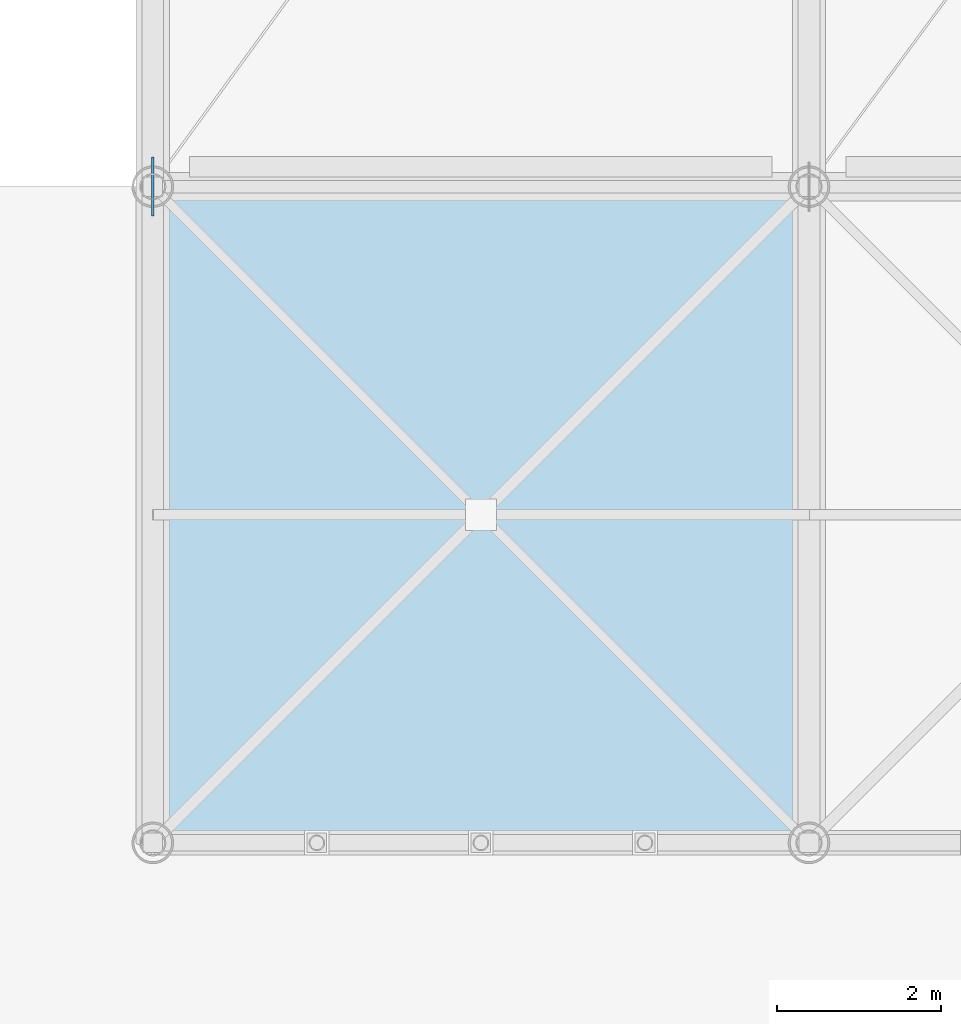
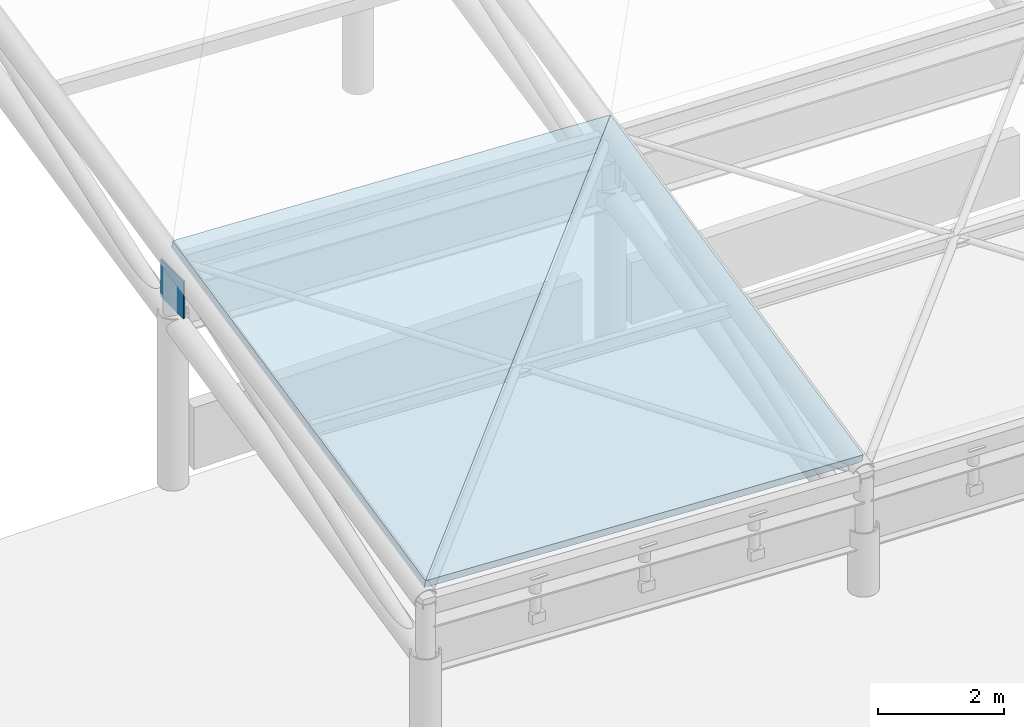
# One storey, part 41 of 78: 2 slabs, 1 plate.
"""IFC4 building model written with IfcOpenShell, lengths in metres."""

from ifc_helpers import new_model, si_unit, direction, frame, origin, origin_2d, place, context, subcontext, project, spatial, polyline, rectangle, outline, extrude, material, layer, layer_set, type_object, element, save


model = new_model("IFC4")

# Units and contexts
model_context = context("Model", 3, precision=1e-05, world=origin(), true_north=direction((0.0, 1.0)))
body_context = subcontext(model_context, "Body", "Model", "MODEL_VIEW")
ifc_project = project(units=[si_unit("LENGTHUNIT", "METRE"), si_unit("AREAUNIT", "SQUARE_METRE"), si_unit("VOLUMEUNIT", "CUBIC_METRE"), si_unit("PLANEANGLEUNIT", "RADIAN"), si_unit("MASSUNIT", "GRAM", prefix="KILO")], contexts=[model_context])

# Site, building, storey
site_placement = place(None, origin())
site = spatial("IfcSite", under=ifc_project, at=site_placement, CompositionType="ELEMENT")
building_placement = place(site_placement, origin())
building = spatial("IfcBuilding", under=site, at=building_placement, Name="Haebicheon Civic Stadium", CompositionType="ELEMENT")
storey_placement = place(building_placement, frame((0.0, 0.0, 18.60009765625)))
storey = spatial("IfcBuildingStorey", under=building, at=storey_placement, Name="L05", CompositionType="ELEMENT", Elevation=18.60009765625)

# Plate
ifc_material_1 = material(Name="White painted steel SM490", Category="steel")
ifc_layer_1 = layer(ifc_material_1, 0.031982421875, Name="White painted steel SM490")
ifc_layer_set_1 = layer_set([ifc_layer_1], Name="White painted steel SM490")
plate_type = type_object("IfcPlateType", Name="PLT-GUS-32", PredefinedType="USERDEFINED", material=ifc_layer_set_1)
plate_placement = place(storey_placement, frame((80.0, 32.0, 3.3720703125), z_axis=(0.0, 0.0, 1.0), x_axis=(0.0, 1.0, 0.0)))
element("IfcPlate", 1, at=plate_placement, inside=storey, type_object=plate_type, material=ifc_layer_set_1, Name="CAN-SOUTH heel node gusset plate KN-H01", ObjectType="GUSSET PLATE", PredefinedType="USERDEFINED", context=body_context, shape_type="SweptSolid", body=[
    extrude(rectangle(XDim=0.719970703125, YDim=0.031982421875, at=origin_2d()), origin(), (0.0, 0.0, 1.0), 0.719970703125),
])

# Slabs
ifc_material_2 = material(Name="White painted steel SM490", Category="steel")
ifc_layer_2 = layer(ifc_material_2, 0.159912109375, Name="White painted steel SM490")
ifc_layer_set_2 = layer_set([ifc_layer_2], Name="White painted steel SM490")
slab_type = type_object("IfcSlabType", Name="SLB-CAN-160", PredefinedType="ROOF", material=ifc_layer_set_2)
slab_1_placement = place(storey_placement, frame((80.0, 24.0, 2.93994140625), z_axis=(0.04479820364, -0.209982265232, 0.97667833458), x_axis=(0.0, 0.977659849808, 0.210193287411)))
element("IfcSlab", 2, at=slab_1_placement, inside=storey, type_object=slab_type, material=ifc_layer_set_2, Name="CAN-SOUTH curled canopy facet 1.BS-A", PredefinedType="ROOF", context=body_context, shape_type="SweptSolid", body=[
    extrude(outline(polyline([(0.0, 0.0), (8.182805094807545, 0.0), (8.105676063806701, -8.008039619130656), (0.0, 0.0)])), origin(), (0.0, 0.0, -1.0), 0.159912109375),
])
slab_2_placement = place(storey_placement, frame((80.0, 24.0, 2.93994140625), z_axis=(0.04479820364, -0.209982265232, 0.97667833458), x_axis=(0.702103787927, 0.702103787927, 0.118745702902)))
element("IfcSlab", 3, at=slab_2_placement, inside=storey, type_object=slab_type, material=ifc_layer_set_2, Name="CAN-SOUTH curled canopy facet 1.BS-B", PredefinedType="ROOF", context=body_context, shape_type="SweptSolid", body=[
    extrude(outline(polyline([(0.0, 0.0), (11.394326789807952, 3.885780586188048e-16), (5.573257356280237, -5.750952083756013), (0.0, 0.0)])), origin(), (0.0, 0.0, -1.0), 0.159912109375),
])

save(model, "model.ifc")
